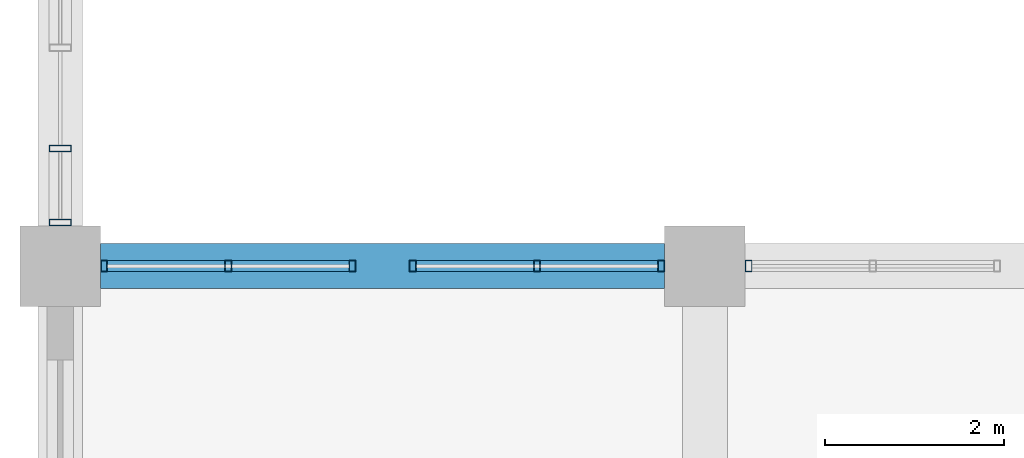
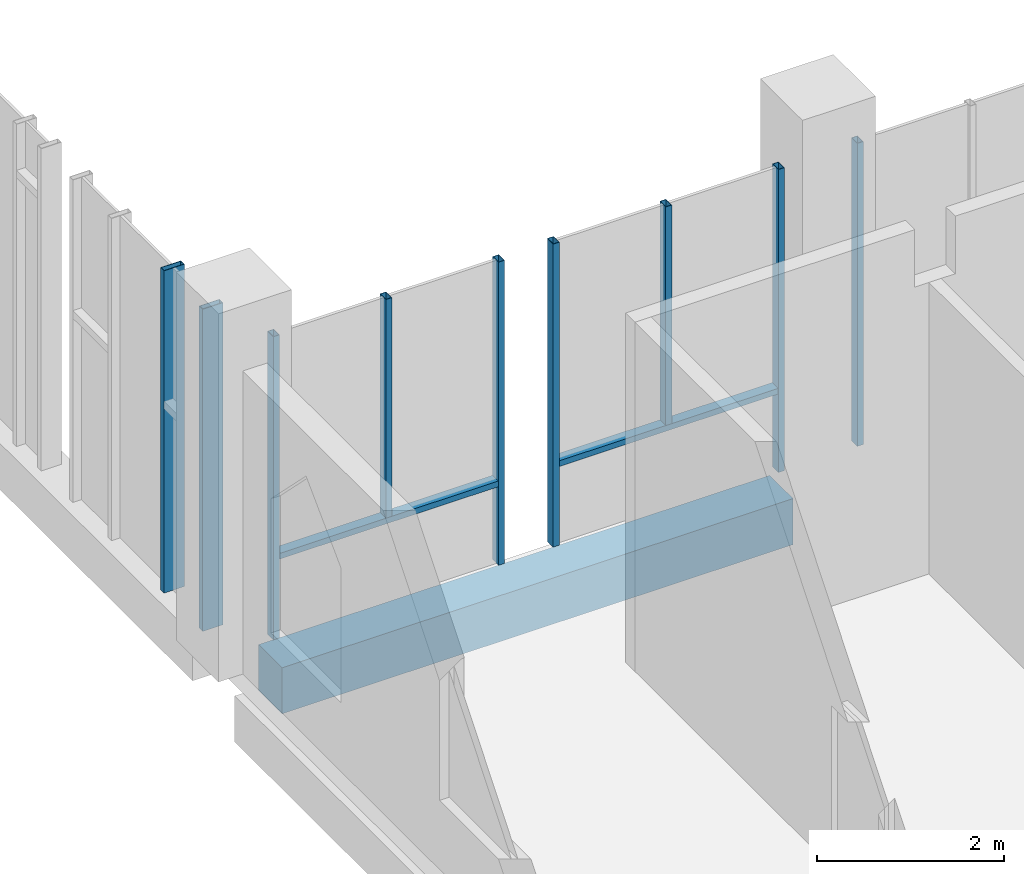
# One storey, part 2 of 39: 11 members, 1 beam, 4 elements without a shape of their own.
"""IFC4 building model written with IfcOpenShell, lengths in metres."""

from ifc_helpers import new_model, si_unit, direction, frame, origin, origin_2d, place, context, subcontext, project, spatial, rectangle, hollow_rectangle, extrude, material, material_profile, profile_set, type_object, element, aggregate, save


model = new_model("IFC4")

# Units and contexts
model_context = context("Model", 3, precision=1e-05, world=origin(), true_north=direction((0.0, 1.0)))
body_context = subcontext(model_context, "Body", "Model", "MODEL_VIEW")
ifc_project = project(units=[si_unit("LENGTHUNIT", "METRE"), si_unit("AREAUNIT", "SQUARE_METRE"), si_unit("VOLUMEUNIT", "CUBIC_METRE"), si_unit("PLANEANGLEUNIT", "RADIAN"), si_unit("MASSUNIT", "GRAM", prefix="KILO")], contexts=[model_context])

# Site, building, storey
site_placement = place(None, origin())
site = spatial("IfcSite", under=ifc_project, at=site_placement, CompositionType="ELEMENT")
building_placement = place(site_placement, origin())
building = spatial("IfcBuilding", under=site, at=building_placement, Name="Silangan Lancet Faculty of Sciences", CompositionType="ELEMENT")
storey_placement = place(building_placement, frame((0.0, 0.0, 26.39990234375)))
storey = spatial("IfcBuildingStorey", under=building, at=storey_placement, Name="L05", CompositionType="ELEMENT", Elevation=26.39990234375)

# Beam
ifc_material_1 = material(Name="Concrete C40/50", Category="concrete")
ifc_material_profile_1 = material_profile(ifc_material_1, rectangle(XDim=0.5, YDim=0.60009765625, at=origin_2d()), Name="RC 500x600")
ifc_profile_set_1 = profile_set([ifc_material_profile_1], Name="Concrete C40/50")
beam_type = type_object("IfcBeamType", Name="BEAM RC 500x600", PredefinedType="BEAM", material=ifc_profile_set_1)
beam_placement = place(storey_placement, frame((0.449951171875, 21.60009765625, -0.5498046875), z_axis=(1.0, 0.0, 0.0), x_axis=(0.0, 1.0, 0.0)))
element("IfcBeam", 1, at=beam_placement, inside=storey, type_object=beam_type, Name="BM-L05-1D-2D", PredefinedType="BEAM", context=body_context, shape_type="SweptSolid", body=[
    extrude(rectangle(XDim=0.5, YDim=0.60009765625, at=origin_2d()), origin(), (0.0, 0.0, 1.0), 6.300048828125),
])

# Curtain wall, member
ifc_material_2 = material(Name="Aluminium framed curtain wall with insulated glass", Category="aluminium")
curtain_wall_type_1 = type_object("IfcCurtainWallType", Name="CW2 Atrium fire-resisting screen", PredefinedType="NOTDEFINED", material=ifc_material_2)
curtain_wall_1_placement = place(storey_placement, origin())
curtain_wall_1 = element("IfcCurtainWall", 2, at=curtain_wall_1_placement, inside=storey, type_object=curtain_wall_type_1, Name="CW2 Atrium south L05 bay 4", PredefinedType="NOTDEFINED")
ifc_material_3 = material(Name="Steel S355J2H", Category="steel")
ifc_material_profile_2 = material_profile(ifc_material_3, hollow_rectangle(XDim=0.074951171875, YDim=0.125, WallThickness=0.0048828125, at=origin_2d()), Name="ST BOX 75x125x5")
ifc_profile_set_2 = profile_set([ifc_material_profile_2], Name="Steel S355J2H")
member_type_1 = type_object("IfcMemberType", Name="CM2 Mullion 75x125", PredefinedType="MULLION", material=ifc_profile_set_2)
member_1_placement = place(storey_placement, frame((7.6875, 21.60009765625, 0.0), z_axis=(0.0, 0.0, 1.0), x_axis=(-1.0, 0.0, 0.0)))
member_1 = element("IfcMember", 3, at=member_1_placement, type_object=member_type_1, Name="CW2 Atrium south L05 bay 4 mullion 2", PredefinedType="MULLION", context=body_context, shape_type="SweptSolid", body=[
    extrude(hollow_rectangle(XDim=0.074951171875, YDim=0.125, WallThickness=0.0048828125, at=origin_2d()), origin(), (0.0, 0.0, 1.0), 3.9501953125),
])
aggregate(curtain_wall_1, [member_1])

# Curtain wall, members
curtain_wall_2_placement = place(storey_placement, origin())
curtain_wall_2 = element("IfcCurtainWall", 4, at=curtain_wall_2_placement, inside=storey, type_object=curtain_wall_type_1, Name="CW2 Atrium south L05 bay 5", PredefinedType="NOTDEFINED")
member_2_placement = place(storey_placement, frame((6.71240234375, 21.60009765625, 0.0), z_axis=(0.0, 0.0, 1.0), x_axis=(-1.0, 0.0, 0.0)))
member_2 = element("IfcMember", 5, at=member_2_placement, type_object=member_type_1, Name="CW2 Atrium south L05 bay 5 mullion 1", PredefinedType="MULLION", context=body_context, shape_type="SweptSolid", body=[
    extrude(hollow_rectangle(XDim=0.074951171875, YDim=0.125, WallThickness=0.0048828125, at=origin_2d()), origin(), (0.0, 0.0, 1.0), 3.9501953125),
])
member_3_placement = place(storey_placement, frame((3.9375, 21.60009765625, 0.0), z_axis=(0.0, 0.0, 1.0), x_axis=(-1.0, 0.0, 0.0)))
member_3 = element("IfcMember", 6, at=member_3_placement, type_object=member_type_1, Name="CW2 Atrium south L05 bay 5 mullion 2", PredefinedType="MULLION", context=body_context, shape_type="SweptSolid", body=[
    extrude(hollow_rectangle(XDim=0.074951171875, YDim=0.125, WallThickness=0.0048828125, at=origin_2d()), origin(), (0.0, 0.0, 1.0), 3.9501953125),
])
member_4_placement = place(storey_placement, frame((5.324951171875, 21.60009765625, 1.10009765625), z_axis=(0.0, 0.0, 1.0), x_axis=(-1.0, 0.0, 0.0)))
member_4 = element("IfcMember", 7, at=member_4_placement, type_object=member_type_1, Name="CW2 Atrium south L05 bay 5 mullion 3", PredefinedType="MULLION", context=body_context, shape_type="SweptSolid", body=[
    extrude(hollow_rectangle(XDim=0.074951171875, YDim=0.125, WallThickness=0.0048828125, at=origin_2d()), origin(), (0.0, 0.0, 1.0), 2.85009765625),
])

curtain_wall_3_placement = place(storey_placement, origin())
curtain_wall_3 = element("IfcCurtainWall", 8, at=curtain_wall_3_placement, inside=storey, type_object=curtain_wall_type_1, Name="CW2 Atrium south L05 bay 6", PredefinedType="NOTDEFINED")
member_5_placement = place(storey_placement, frame((3.2626953125, 21.60009765625, 0.0), z_axis=(0.0, 0.0, 1.0), x_axis=(-1.0, 0.0, 0.0)))
member_5 = element("IfcMember", 9, at=member_5_placement, type_object=member_type_1, Name="CW2 Atrium south L05 bay 6 mullion 1", PredefinedType="MULLION", context=body_context, shape_type="SweptSolid", body=[
    extrude(hollow_rectangle(XDim=0.074951171875, YDim=0.125, WallThickness=0.0048828125, at=origin_2d()), origin(), (0.0, 0.0, 1.0), 3.9501953125),
])
member_6_placement = place(storey_placement, frame((0.487548828125, 21.60009765625, 0.0), z_axis=(0.0, 0.0, 1.0), x_axis=(-1.0, 0.0, 0.0)))
member_6 = element("IfcMember", 10, at=member_6_placement, type_object=member_type_1, Name="CW2 Atrium south L05 bay 6 mullion 2", PredefinedType="MULLION", context=body_context, shape_type="SweptSolid", body=[
    extrude(hollow_rectangle(XDim=0.074951171875, YDim=0.125, WallThickness=0.0048828125, at=origin_2d()), origin(), (0.0, 0.0, 1.0), 3.9501953125),
])
member_7_placement = place(storey_placement, frame((1.875, 21.60009765625, 1.10009765625), z_axis=(0.0, 0.0, 1.0), x_axis=(-1.0, 0.0, 0.0)))
member_7 = element("IfcMember", 11, at=member_7_placement, type_object=member_type_1, Name="CW2 Atrium south L05 bay 6 mullion 3", PredefinedType="MULLION", context=body_context, shape_type="SweptSolid", body=[
    extrude(hollow_rectangle(XDim=0.074951171875, YDim=0.125, WallThickness=0.0048828125, at=origin_2d()), origin(), (0.0, 0.0, 1.0), 2.85009765625),
])

ifc_material_4 = material(Name="Aluminium framed curtain wall with insulated glass", Category="aluminium")
curtain_wall_type_2 = type_object("IfcCurtainWallType", Name="CW3 West stepped lancet window", PredefinedType="NOTDEFINED", material=ifc_material_4)
curtain_wall_4_placement = place(storey_placement, origin())
curtain_wall_4 = element("IfcCurtainWall", 12, at=curtain_wall_4_placement, inside=storey, type_object=curtain_wall_type_2, Name="CW3 West window L05 bay 1", PredefinedType="NOTDEFINED")
ifc_material_5 = material(Name="Aluminium 6063-T6 extrusion", Category="aluminium")
ifc_material_profile_3 = material_profile(ifc_material_5, hollow_rectangle(XDim=0.074951171875, YDim=0.25, WallThickness=0.006103515625, at=origin_2d()), Name="AL BOX 75x250x6")
ifc_profile_set_3 = profile_set([ifc_material_profile_3], Name="Aluminium 6063-T6 extrusion")
member_type_2 = type_object("IfcMemberType", Name="CM3 Mullion 75x250", PredefinedType="MULLION", material=ifc_profile_set_3)
member_8_placement = place(storey_placement, frame((0.0, 22.08740234375, 0.0), z_axis=(0.0, 0.0, 1.0), x_axis=(0.0, 1.0, 0.0)))
member_8 = element("IfcMember", 13, at=member_8_placement, type_object=member_type_2, Name="CW3 West window L05 bay 1 mullion 1", PredefinedType="MULLION", context=body_context, shape_type="SweptSolid", body=[
    extrude(hollow_rectangle(XDim=0.074951171875, YDim=0.25, WallThickness=0.006103515625, at=origin_2d()), origin(), (0.0, 0.0, 1.0), 4.2001953125),
])
member_9_placement = place(storey_placement, frame((0.0, 22.91259765625, 0.0), z_axis=(0.0, 0.0, 1.0), x_axis=(0.0, 1.0, 0.0)))
member_9 = element("IfcMember", 14, at=member_9_placement, type_object=member_type_2, Name="CW3 West window L05 bay 1 mullion 3", PredefinedType="MULLION", context=body_context, shape_type="SweptSolid", body=[
    extrude(hollow_rectangle(XDim=0.074951171875, YDim=0.25, WallThickness=0.006103515625, at=origin_2d()), origin(), (0.0, 0.0, 1.0), 4.2001953125),
])
aggregate(curtain_wall_4, [member_8, member_9])

# Member
ifc_material_6 = material(Name="Steel S355J2H", Category="steel")
ifc_material_profile_4 = material_profile(ifc_material_6, hollow_rectangle(XDim=0.125, YDim=0.074951171875, WallThickness=0.0048828125, at=origin_2d()), Name="ST BOX 125x75x5")
ifc_profile_set_4 = profile_set([ifc_material_profile_4], Name="Steel S355J2H")
member_type_3 = type_object("IfcMemberType", Name="CT2 Transom 125x75", PredefinedType="USERDEFINED", material=ifc_profile_set_4)
member_10_placement = place(storey_placement, frame((6.675048828125, 21.60009765625, 1.0625), z_axis=(-1.0, 0.0, 0.0), x_axis=(0.0, -1.0, 0.0)))
member_10 = element("IfcMember", 15, at=member_10_placement, type_object=member_type_3, Name="CW2 Atrium south L05 bay 5 transom 1", ObjectType="TRANSOM", PredefinedType="USERDEFINED", context=body_context, shape_type="SweptSolid", body=[
    extrude(hollow_rectangle(XDim=0.125, YDim=0.074951171875, WallThickness=0.0048828125, at=origin_2d()), origin(), (0.0, 0.0, 1.0), 2.699951171875),
])

aggregate(curtain_wall_2, [member_2, member_3, member_4, member_10])

member_11_placement = place(storey_placement, frame((3.22509765625, 21.60009765625, 1.0625), z_axis=(-1.0, 0.0, 0.0), x_axis=(0.0, -1.0, 0.0)))
member_11 = element("IfcMember", 16, at=member_11_placement, type_object=member_type_3, Name="CW2 Atrium south L05 bay 6 transom 1", ObjectType="TRANSOM", PredefinedType="USERDEFINED", context=body_context, shape_type="SweptSolid", body=[
    extrude(hollow_rectangle(XDim=0.125, YDim=0.074951171875, WallThickness=0.0048828125, at=origin_2d()), origin(), (0.0, 0.0, 1.0), 2.7001953125),
])

aggregate(curtain_wall_3, [member_5, member_6, member_7, member_11])

save(model, "model.ifc")
